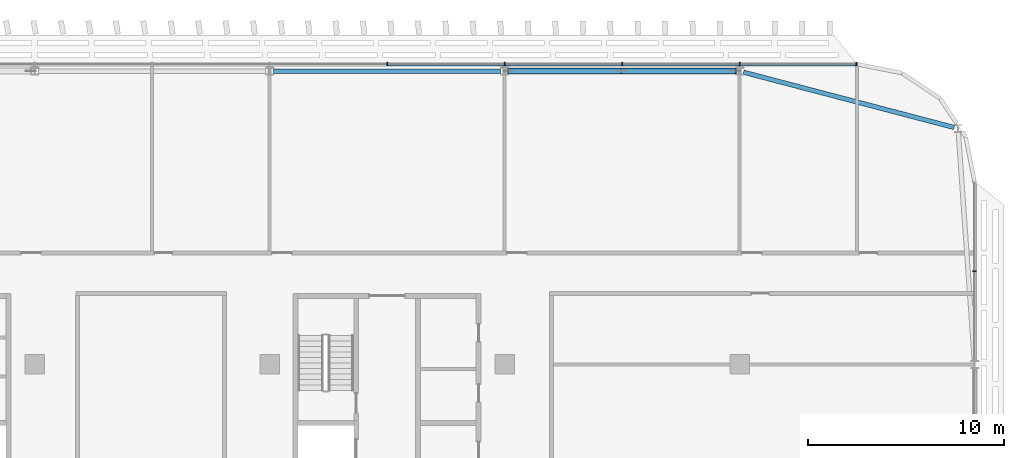
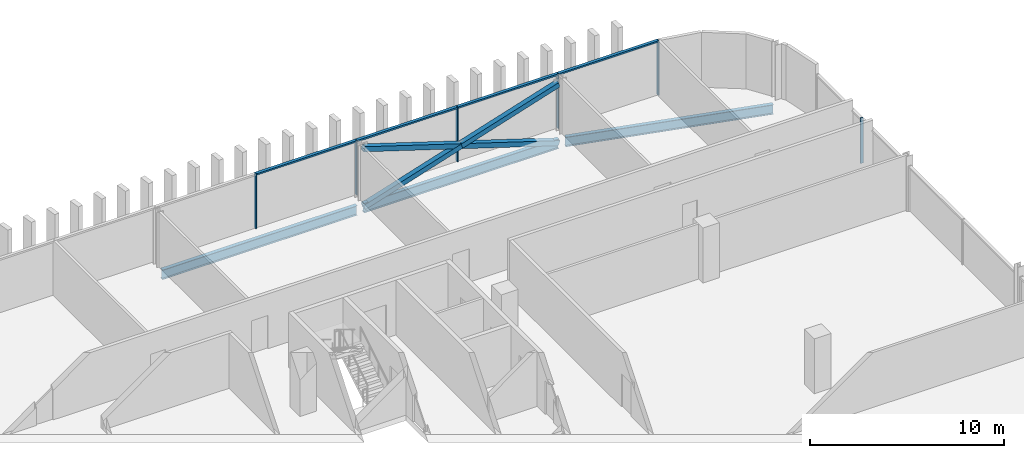
# One storey, part 14 of 35: 13 members, 3 beams, 2 elements without a shape of their own.
"""IFC4 building model written with IfcOpenShell, lengths in metres."""

from ifc_helpers import new_model, si_unit, direction, frame, origin, origin_2d, place, context, subcontext, project, spatial, rectangle, hollow_rectangle, i_section, extrude, material, material_profile, profile_set, type_object, element, aggregate, save


model = new_model("IFC4")

# Units and contexts
model_context = context("Model", 3, precision=1e-05, world=origin(), true_north=direction((0.0, 1.0)))
body_context = subcontext(model_context, "Body", "Model", "MODEL_VIEW")
ifc_project = project(units=[si_unit("LENGTHUNIT", "METRE"), si_unit("AREAUNIT", "SQUARE_METRE"), si_unit("VOLUMEUNIT", "CUBIC_METRE"), si_unit("PLANEANGLEUNIT", "RADIAN"), si_unit("MASSUNIT", "GRAM", prefix="KILO")], contexts=[model_context])

# Site, building, storey
site_placement = place(None, origin())
site = spatial("IfcSite", under=ifc_project, at=site_placement, CompositionType="ELEMENT")
building_placement = place(site_placement, origin())
building = spatial("IfcBuilding", under=site, at=building_placement, Name="Mahtab Terrace Research Tower", CompositionType="ELEMENT")
storey_placement = place(building_placement, frame((0.0, 0.0, 251.39990234375)))
storey = spatial("IfcBuildingStorey", under=building, at=storey_placement, Name="L61", CompositionType="ELEMENT", Elevation=251.39990234375)

# Members
ifc_material_1 = material(Name="Steel ASTM A500 Gr C", Category="steel")
ifc_material_profile_1 = material_profile(ifc_material_1, hollow_rectangle(XDim=0.3046875, YDim=0.3046875, WallThickness=0.015869140625, at=origin_2d()), Name="HSS12X12X5/8")
ifc_profile_set_1 = profile_set([ifc_material_profile_1], Name="Steel ASTM A500 Gr C")
member_type_1 = type_object("IfcMemberType", Name="HSS 12x12x5/8 brace XB121258", PredefinedType="BRACE", material=ifc_profile_set_1)
member_1_placement = place(storey_placement, frame((41.800537109375, 26.472900390625, -0.580322265625), z_axis=(-0.953338568311, 0.0, 0.301903252998), x_axis=(0.0, -1.0, 0.0)))
element("IfcMember", 1, at=member_1_placement, inside=storey, type_object=member_type_1, Name="Exoskeleton brace L61 02 a", PredefinedType="BRACE", context=body_context, shape_type="SweptSolid", body=[
    extrude(hollow_rectangle(XDim=0.3046875, YDim=0.3046875, WallThickness=0.015869140625, at=origin_2d()), origin(), (0.0, 0.0, 1.0), 12.1689453125),
])
for number, where, z_axis, x_axis, name in (
    (2, (30.199462890625, 26.472900390625, -0.580322265625), (0.953338568311, 0.0, 0.301903252998), (0.0, 1.0, 0.0), "Exoskeleton brace L61 02 b1"),
    (3, (36.0, 26.472900390625, 1.256591796875), (0.953338568311, 0.0, 0.301903252998), (0.0, 1.0, 0.0), "Exoskeleton brace L61 02 b2"),
):
    element("IfcMember", number, at=place(storey_placement, frame(where, z_axis=z_axis, x_axis=x_axis)), inside=storey, type_object=member_type_1, Name=name, PredefinedType="BRACE", context=body_context, shape_type="SweptSolid", body=[
        extrude(hollow_rectangle(XDim=0.3046875, YDim=0.3046875, WallThickness=0.015869140625, at=origin_2d()), origin(), (0.0, 0.0, 1.0), 6.08447265625),
    ])

# Curtain wall, members
ifc_material_2 = material(Name="Office ribbon curtain wall")
curtain_wall_type = type_object("IfcCurtainWallType", Name="Office ribbon curtain wall", PredefinedType="NOTDEFINED", material=ifc_material_2)
curtain_wall_1_placement = place(storey_placement, origin())
curtain_wall_1 = element("IfcCurtainWall", 4, at=curtain_wall_1_placement, inside=storey, type_object=curtain_wall_type, Name="EN.L61.3.4", PredefinedType="NOTDEFINED")
ifc_material_3 = material(Name="Natural anodised aluminium", Category="aluminium")
ifc_material_profile_2 = material_profile(ifc_material_3, rectangle(XDim=0.179931640625, YDim=0.06005859375, at=origin_2d()), Name="MULLION 60x180")
ifc_profile_set_2 = profile_set([ifc_material_profile_2], Name="Natural anodised aluminium")
member_type_2 = type_object("IfcMemberType", Name="Office ribbon curtain wall mullion", PredefinedType="MULLION", material=ifc_profile_set_2)
member_2_placement = place(storey_placement, frame((47.969970703125, 26.833984375, 0.0), z_axis=(0.0, 0.0, 1.0), x_axis=(0.0, -1.0, 0.0)))
member_2 = element("IfcMember", 5, at=member_2_placement, type_object=member_type_2, Name="CWO-7 mullion 1", PredefinedType="MULLION", context=body_context, shape_type="SweptSolid", body=[
    extrude(rectangle(XDim=0.179931640625, YDim=0.06005859375, at=origin_2d()), origin(), (0.0, 0.0, 1.0), 3.460205078125),
])
member_3_placement = place(storey_placement, frame((42.0, 26.833984375, 0.0), z_axis=(0.0, 0.0, 1.0), x_axis=(0.0, -1.0, 0.0)))
member_3 = element("IfcMember", 6, at=member_3_placement, type_object=member_type_2, Name="CWO-7 mullion 2", PredefinedType="MULLION", context=body_context, shape_type="SweptSolid", body=[
    extrude(rectangle(XDim=0.179931640625, YDim=0.06005859375, at=origin_2d()), origin(), (0.0, 0.0, 1.0), 3.460205078125),
])
member_4_placement = place(storey_placement, frame((36.0, 26.833984375, 0.0), z_axis=(0.0, 0.0, 1.0), x_axis=(0.0, -1.0, 0.0)))
member_4 = element("IfcMember", 7, at=member_4_placement, type_object=member_type_2, Name="CWO-7 mullion 3", PredefinedType="MULLION", context=body_context, shape_type="SweptSolid", body=[
    extrude(rectangle(XDim=0.179931640625, YDim=0.06005859375, at=origin_2d()), origin(), (0.0, 0.0, 1.0), 3.460205078125),
])
member_5_placement = place(storey_placement, frame((30.0, 26.833984375, 0.0), z_axis=(0.0, 0.0, 1.0), x_axis=(0.0, -1.0, 0.0)))
member_5 = element("IfcMember", 8, at=member_5_placement, type_object=member_type_2, Name="CWO-7 mullion 4", PredefinedType="MULLION", context=body_context, shape_type="SweptSolid", body=[
    extrude(rectangle(XDim=0.179931640625, YDim=0.06005859375, at=origin_2d()), origin(), (0.0, 0.0, 1.0), 3.460205078125),
])
member_6_placement = place(storey_placement, frame((24.0, 26.833984375, 0.0), z_axis=(0.0, 0.0, 1.0), x_axis=(0.0, -1.0, 0.0)))
member_6 = element("IfcMember", 9, at=member_6_placement, type_object=member_type_2, Name="CWO-7 mullion 5", PredefinedType="MULLION", context=body_context, shape_type="SweptSolid", body=[
    extrude(rectangle(XDim=0.179931640625, YDim=0.06005859375, at=origin_2d()), origin(), (0.0, 0.0, 1.0), 3.460205078125),
])

# Curtain wall, member
curtain_wall_2_placement = place(storey_placement, origin())
curtain_wall_2 = element("IfcCurtainWall", 10, at=curtain_wall_2_placement, inside=storey, type_object=curtain_wall_type, Name="EN.L61.18.25", PredefinedType="NOTDEFINED")
member_7_placement = place(storey_placement, frame((54.0, 16.263427734375, 0.0), z_axis=(0.0, 0.0, 1.0), x_axis=(-1.0, 0.0, 0.0)))
member_7 = element("IfcMember", 11, at=member_7_placement, type_object=member_type_2, Name="CWO-7 mullion 2", PredefinedType="MULLION", context=body_context, shape_type="SweptSolid", body=[
    extrude(rectangle(XDim=0.179931640625, YDim=0.06005859375, at=origin_2d()), origin(), (0.0, 0.0, 1.0), 2.85302734375),
])
aggregate(curtain_wall_2, [member_7])

# Member
ifc_material_profile_3 = material_profile(ifc_material_3, rectangle(XDim=0.179931640625, YDim=0.10009765625, at=origin_2d()), Name="TRANSOM 100x180")
ifc_profile_set_3 = profile_set([ifc_material_profile_3], Name="Natural anodised aluminium")
member_type_3 = type_object("IfcMemberType", Name="Office ribbon curtain wall transom", PredefinedType="USERDEFINED", material=ifc_profile_set_3)
member_8_placement = place(storey_placement, frame((47.93994140625, 26.833984375, 3.41015625), z_axis=(-1.0, 0.0, 0.0), x_axis=(0.0, -1.0, 0.0)))
member_8 = element("IfcMember", 12, at=member_8_placement, type_object=member_type_3, Name="CWO-7 transom 1", ObjectType="TRANSOM", PredefinedType="USERDEFINED", context=body_context, shape_type="SweptSolid", body=[
    extrude(rectangle(XDim=0.179931640625, YDim=0.10009765625, at=origin_2d()), origin(), (0.0, 0.0, 1.0), 5.909912109375),
])

member_9_placement = place(storey_placement, frame((41.969970703125, 26.833984375, 3.41015625), z_axis=(-1.0, 0.0, 0.0), x_axis=(0.0, -1.0, 0.0)))
member_9 = element("IfcMember", 13, at=member_9_placement, type_object=member_type_3, Name="CWO-7 transom 2", ObjectType="TRANSOM", PredefinedType="USERDEFINED", context=body_context, shape_type="SweptSolid", body=[
    extrude(rectangle(XDim=0.179931640625, YDim=0.10009765625, at=origin_2d()), origin(), (0.0, 0.0, 1.0), 5.93994140625),
])

member_10_placement = place(storey_placement, frame((35.969970703125, 26.833984375, 3.41015625), z_axis=(-1.0, 0.0, 0.0), x_axis=(0.0, -1.0, 0.0)))
member_10 = element("IfcMember", 14, at=member_10_placement, type_object=member_type_3, Name="CWO-7 transom 3", ObjectType="TRANSOM", PredefinedType="USERDEFINED", context=body_context, shape_type="SweptSolid", body=[
    extrude(rectangle(XDim=0.179931640625, YDim=0.10009765625, at=origin_2d()), origin(), (0.0, 0.0, 1.0), 5.93994140625),
])

member_11_placement = place(storey_placement, frame((29.969970703125, 26.833984375, 3.41015625), z_axis=(-1.0, 0.0, 0.0), x_axis=(0.0, -1.0, 0.0)))
member_11 = element("IfcMember", 15, at=member_11_placement, type_object=member_type_3, Name="CWO-7 transom 4", ObjectType="TRANSOM", PredefinedType="USERDEFINED", context=body_context, shape_type="SweptSolid", body=[
    extrude(rectangle(XDim=0.179931640625, YDim=0.10009765625, at=origin_2d()), origin(), (0.0, 0.0, 1.0), 5.93994140625),
])

aggregate(curtain_wall_1, [member_2, member_3, member_4, member_5, member_6, member_8, member_9, member_10, member_11])

# Beams
ifc_material_4 = material(Name="Steel ASTM A992 Gr 50", Category="steel")
ifc_material_profile_4 = material_profile(ifc_material_4, i_section(OverallWidth=0.228271484375, OverallDepth=0.607177734375, WebThickness=0.01123046875, FlangeThickness=0.017333984375, at=origin_2d()), Name="W24X76")
ifc_profile_set_4 = profile_set([ifc_material_profile_4], Name="Steel ASTM A992 Gr 50")
beam_type = type_object("IfcBeamType", Name="W24x76 beam BS2476", PredefinedType="BEAM", material=ifc_profile_set_4)
beam_placement = place(storey_placement, frame((52.95458984375, 23.598388671875, -0.6435546875), z_axis=(-0.967252058434, 0.253817760323, 0.0), x_axis=(-0.253817760323, -0.967252058434, 0.0)))
element("IfcBeam", 16, at=beam_placement, inside=storey, type_object=beam_type, Name="Spandrel beam L61 01", PredefinedType="BEAM", context=body_context, shape_type="SweptSolid", body=[
    extrude(i_section(OverallWidth=0.228271484375, OverallDepth=0.607177734375, WebThickness=0.01123046875, FlangeThickness=0.017333984375, at=origin_2d()), origin(), (0.0, 0.0, 1.0), 11.119140625),
])
for number, where, z_axis, x_axis, name in (
    (17, (41.800537109375, 26.472900390625, -0.6435546875), (-1.0, 0.0, 0.0), (0.0, -1.0, 0.0), "Spandrel beam L61 02"),
    (18, (29.800537109375, 26.472900390625, -0.6435546875), (-1.0, 0.0, 0.0), (0.0, -1.0, 0.0), "Spandrel beam L61 03"),
):
    element("IfcBeam", number, at=place(storey_placement, frame(where, z_axis=z_axis, x_axis=x_axis)), inside=storey, type_object=beam_type, Name=name, PredefinedType="BEAM", context=body_context, shape_type="SweptSolid", body=[
        extrude(i_section(OverallWidth=0.228271484375, OverallDepth=0.607177734375, WebThickness=0.01123046875, FlangeThickness=0.017333984375, at=origin_2d()), origin(), (0.0, 0.0, 1.0), 11.60107421875),
    ])

save(model, "model.ifc")
